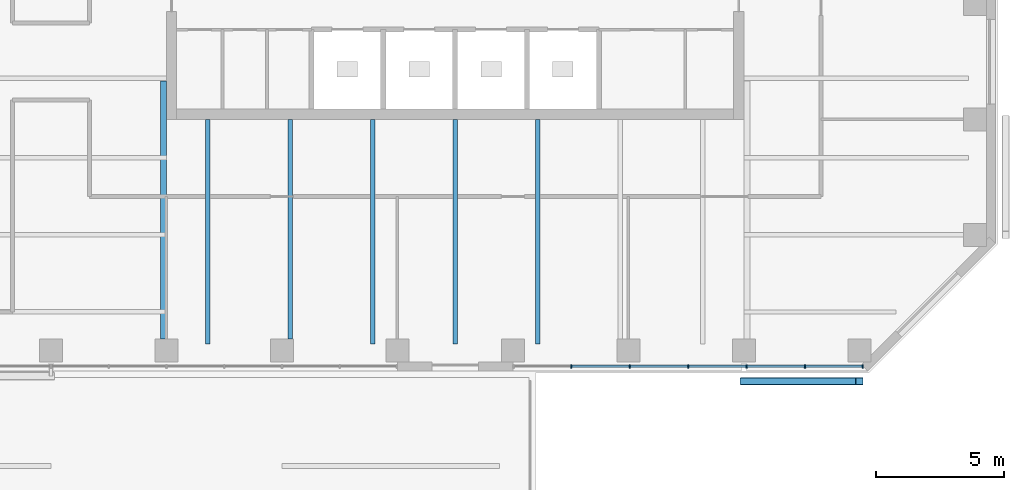
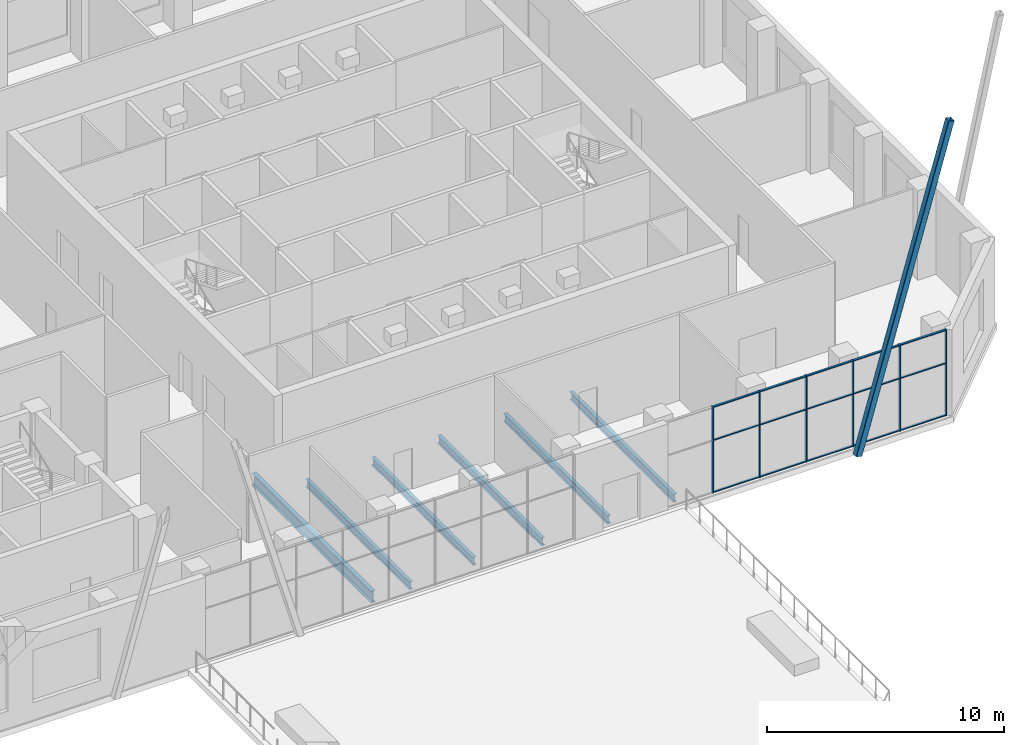
# One storey, part 4 of 14: 22 members, 6 beams, 1 element without a shape of its own.
"""IFC4 building model written with IfcOpenShell, lengths in metres."""

from ifc_helpers import new_model, si_unit, direction, frame, origin, origin_2d, place, context, subcontext, project, spatial, rectangle, hollow_rectangle, i_section, extrude, material, constituent, constituent_set, material_profile, profile_set, type_object, element, aggregate, save


model = new_model("IFC4")

# Units and contexts
model_context = context("Model", 3, precision=1e-05, world=origin(), true_north=direction((0.0, 1.0)))
body_context = subcontext(model_context, "Body", "Model", "MODEL_VIEW")
ifc_project = project(units=[si_unit("LENGTHUNIT", "METRE"), si_unit("AREAUNIT", "SQUARE_METRE"), si_unit("VOLUMEUNIT", "CUBIC_METRE"), si_unit("PLANEANGLEUNIT", "RADIAN"), si_unit("MASSUNIT", "GRAM", prefix="KILO")], contexts=[model_context])

# Site, building, storey
site_placement = place(None, origin())
site = spatial("IfcSite", under=ifc_project, at=site_placement, CompositionType="ELEMENT")
building_placement = place(site_placement, origin())
building = spatial("IfcBuilding", under=site, at=building_placement, Name="Quoin Convention Tower", CompositionType="ELEMENT")
storey_placement = place(building_placement, frame((0.0, 0.0, 143.10009765625)))
storey = spatial("IfcBuildingStorey", under=building, at=storey_placement, Name="L37", CompositionType="ELEMENT", Elevation=143.10009765625)

# Beams
ifc_material_1 = material(Name="Steel Grade 300", Category="steel")
ifc_material_profile_1 = material_profile(ifc_material_1, i_section(OverallWidth=0.177978515625, OverallDepth=0.403076171875, WebThickness=0.007568359375, FlangeThickness=0.010986328125, FilletRadius=0.011474609375, at=origin_2d()), Name="410UB53.7")
ifc_profile_set_1 = profile_set([ifc_material_profile_1], Name="Steel Grade 300")
beam_type_1 = type_object("IfcBeamType", Name="410UB53.7", PredefinedType="BEAM", material=ifc_profile_set_1)
beam_1_placement = place(storey_placement, frame((46.607177734375, 40.75, -0.3515625), z_axis=(0.0, 1.0, 0.0), x_axis=(-1.0, 0.0, 0.0)))
element("IfcBeam", 1, at=beam_1_placement, inside=storey, type_object=beam_type_1, Name="bm-L37-T1S0", PredefinedType="BEAM", context=body_context, shape_type="SweptSolid", body=[
    extrude(i_section(OverallWidth=0.177978515625, OverallDepth=0.403076171875, WebThickness=0.007568359375, FlangeThickness=0.010986328125, FilletRadius=0.011474609375, at=origin_2d()), origin(), (0.0, 0.0, 1.0), 8.75),
])
beam_2_placement = place(storey_placement, frame((49.8212890625, 40.949951171875, -0.3515625), z_axis=(0.0, 1.0, 0.0), x_axis=(-1.0, 0.0, 0.0)))
element("IfcBeam", 2, at=beam_2_placement, inside=storey, type_object=beam_type_1, Name="bm-L37-T1S1", PredefinedType="BEAM", context=body_context, shape_type="SweptSolid", body=[
    extrude(i_section(OverallWidth=0.177978515625, OverallDepth=0.403076171875, WebThickness=0.007568359375, FlangeThickness=0.010986328125, FilletRadius=0.011474609375, at=origin_2d()), origin(), (0.0, 0.0, 1.0), 8.550048828125),
])
for number, where, z_axis, x_axis, name in (
    (3, (53.03564453125, 40.75, -0.3515625), (0.0, 1.0, 0.0), (-1.0, 0.0, 0.0), "bm-L37-T1S2"),
    (4, (56.25, 40.75, -0.3515625), (0.0, 1.0, 0.0), (-1.0, 0.0, 0.0), "bm-L37-T1S3"),
    (5, (59.46435546875, 40.75, -0.3515625), (0.0, 1.0, 0.0), (-1.0, 0.0, 0.0), "bm-L37-T1S4"),
):
    element("IfcBeam", number, at=place(storey_placement, frame(where, z_axis=z_axis, x_axis=x_axis)), inside=storey, type_object=beam_type_1, Name=name, PredefinedType="BEAM", context=body_context, shape_type="SweptSolid", body=[
        extrude(i_section(OverallWidth=0.177978515625, OverallDepth=0.403076171875, WebThickness=0.007568359375, FlangeThickness=0.010986328125, FilletRadius=0.011474609375, at=origin_2d()), origin(), (0.0, 0.0, 1.0), 8.75),
    ])
ifc_material_profile_2 = material_profile(ifc_material_1, i_section(OverallWidth=0.22802734375, OverallDepth=0.60205078125, WebThickness=0.010498046875, FlangeThickness=0.014892578125, FilletRadius=0.013916015625, at=origin_2d()), Name="610UB101")
ifc_profile_set_2 = profile_set([ifc_material_profile_2], Name="Steel Grade 300")
beam_type_2 = type_object("IfcBeamType", Name="610UB101", PredefinedType="BEAM", material=ifc_profile_set_2)
beam_3_placement = place(storey_placement, frame((44.885986328125, 40.949951171875, -0.451171875), z_axis=(0.0, 1.0, 0.0), x_axis=(-1.0, 0.0, 0.0)))
element("IfcBeam", 6, at=beam_3_placement, inside=storey, type_object=beam_type_2, Name="gir-L37-T1SW", PredefinedType="BEAM", context=body_context, shape_type="SweptSolid", body=[
    extrude(i_section(OverallWidth=0.22802734375, OverallDepth=0.60205078125, WebThickness=0.010498046875, FlangeThickness=0.014892578125, FilletRadius=0.013916015625, at=origin_2d()), origin(), (0.0, 0.0, 1.0), 10.052734375),
])

# Member
ifc_material_2 = material(Name="Steel C450L0", Category="steel")
ifc_material_profile_3 = material_profile(ifc_material_2, hollow_rectangle(XDim=0.300048828125, YDim=0.300048828125, WallThickness=0.012451171875, InnerFilletRadius=0.018798828125, OuterFilletRadius=0.03125, at=origin_2d()), Name="300x300x12.5SHS")
ifc_profile_set_3 = profile_set([ifc_material_profile_3], Name="Steel C450L0")
member_type_1 = type_object("IfcMemberType", Name="Exposed brace 300x300x12.5SHS", PredefinedType="BRACE", material=ifc_profile_set_3)
member_1_placement = place(storey_placement, frame((67.5, 39.300048828125, -0.0751953125), z_axis=(0.275526545915, 0.0, 0.961293463255), x_axis=(0.0, 1.0, 0.0)))
element("IfcMember", 7, at=member_1_placement, inside=storey, type_object=member_type_1, Name="brc-L37-67500_40500-72000_40500", PredefinedType="BRACE", context=body_context, shape_type="SweptSolid", body=[
    extrude(hollow_rectangle(XDim=0.300048828125, YDim=0.300048828125, WallThickness=0.012451171875, InnerFilletRadius=0.018798828125, OuterFilletRadius=0.03125, at=origin_2d()), origin(), (0.0, 0.0, 1.0), 16.332275390625),
])

# Curtain wall, members
ifc_material_3 = material(Name="Aluminium", Category="aluminium")
ifc_constituent_1 = constituent(ifc_material_3, Name="Frame")
ifc_material_4 = material(Name="Insulated glass", Category="glass")
ifc_constituent_2 = constituent(ifc_material_4, Name="Glazing")
ifc_constituent_set = constituent_set(constituents=[ifc_constituent_1, ifc_constituent_2], Name="Aluminium")
curtain_wall_type = type_object("IfcCurtainWallType", Name="Sky lobby glazing system", PredefinedType="NOTDEFINED", material=ifc_constituent_set)
curtain_wall_placement = place(storey_placement, origin())
curtain_wall = element("IfcCurtainWall", 8, at=curtain_wall_placement, inside=storey, type_object=curtain_wall_type, Name="cw-SKY-L37-58500_39875", PredefinedType="NOTDEFINED")
ifc_material_profile_4 = material_profile(ifc_material_3, rectangle(XDim=0.14990234375, YDim=0.050048828125, at=origin_2d()), Name="Sky lobby glazing mullion 50x150")
ifc_profile_set_4 = profile_set([ifc_material_profile_4], Name="Aluminium")
member_type_2 = type_object("IfcMemberType", Name="Sky lobby glazing mullion 50x150", PredefinedType="MULLION", material=ifc_profile_set_4)
member_2_placement = place(storey_placement, frame((60.776123046875, 39.875, 0.0), z_axis=(0.0, 0.0, 1.0), x_axis=(0.0, 1.0, 0.0)))
member_2 = element("IfcMember", 9, at=member_2_placement, type_object=member_type_2, Name="CW3 mullion 2", PredefinedType="MULLION", context=body_context, shape_type="SweptSolid", body=[
    extrude(rectangle(XDim=0.14990234375, YDim=0.050048828125, at=origin_2d()), origin(), (0.0, 0.0, 1.0), 4.4248046875),
])
member_3_placement = place(storey_placement, frame((63.05224609375, 39.875, 0.0), z_axis=(0.0, 0.0, 1.0), x_axis=(0.0, 1.0, 0.0)))
member_3 = element("IfcMember", 10, at=member_3_placement, type_object=member_type_2, Name="CW3 mullion 3", PredefinedType="MULLION", context=body_context, shape_type="SweptSolid", body=[
    extrude(rectangle(XDim=0.14990234375, YDim=0.050048828125, at=origin_2d()), origin(), (0.0, 0.0, 1.0), 4.4248046875),
])
member_4_placement = place(storey_placement, frame((65.328125, 39.875, 0.0), z_axis=(0.0, 0.0, 1.0), x_axis=(0.0, 1.0, 0.0)))
member_4 = element("IfcMember", 11, at=member_4_placement, type_object=member_type_2, Name="CW3 mullion 4", PredefinedType="MULLION", context=body_context, shape_type="SweptSolid", body=[
    extrude(rectangle(XDim=0.14990234375, YDim=0.050048828125, at=origin_2d()), origin(), (0.0, 0.0, 1.0), 4.4248046875),
])
member_5_placement = place(storey_placement, frame((67.604248046875, 39.875, 0.0), z_axis=(0.0, 0.0, 1.0), x_axis=(0.0, 1.0, 0.0)))
member_5 = element("IfcMember", 12, at=member_5_placement, type_object=member_type_2, Name="CW3 mullion 5", PredefinedType="MULLION", context=body_context, shape_type="SweptSolid", body=[
    extrude(rectangle(XDim=0.14990234375, YDim=0.050048828125, at=origin_2d()), origin(), (0.0, 0.0, 1.0), 4.4248046875),
])
member_6_placement = place(storey_placement, frame((69.88037109375, 39.875, 0.0), z_axis=(0.0, 0.0, 1.0), x_axis=(0.0, 1.0, 0.0)))
member_6 = element("IfcMember", 13, at=member_6_placement, type_object=member_type_2, Name="CW3 mullion 6", PredefinedType="MULLION", context=body_context, shape_type="SweptSolid", body=[
    extrude(rectangle(XDim=0.14990234375, YDim=0.050048828125, at=origin_2d()), origin(), (0.0, 0.0, 1.0), 4.4248046875),
])
member_7_placement = place(storey_placement, frame((72.13134765625, 39.875, 0.0), z_axis=(0.0, 0.0, 1.0), x_axis=(0.0, 1.0, 0.0)))
member_7 = element("IfcMember", 14, at=member_7_placement, type_object=member_type_2, Name="CW3 mullion 7", PredefinedType="MULLION", context=body_context, shape_type="SweptSolid", body=[
    extrude(rectangle(XDim=0.14990234375, YDim=0.050048828125, at=origin_2d()), origin(), (0.0, 0.0, 1.0), 4.4248046875),
])
ifc_material_profile_5 = material_profile(ifc_material_3, rectangle(XDim=0.10009765625, YDim=0.050048828125, at=origin_2d()), Name="Sky lobby glazing transom 50x100")
ifc_profile_set_5 = profile_set([ifc_material_profile_5], Name="Aluminium")
member_type_3 = type_object("IfcMemberType", Name="Sky lobby glazing transom 50x100", PredefinedType="USERDEFINED", material=ifc_profile_set_5)
member_8_placement = place(storey_placement, frame((60.801025390625, 39.875, 0.02490234375), z_axis=(1.0, 0.0, 0.0), x_axis=(0.0, 1.0, 0.0)))
member_8 = element("IfcMember", 15, at=member_8_placement, type_object=member_type_3, Name="CW3 transom 2.1", ObjectType="TRANSOM", PredefinedType="USERDEFINED", context=body_context, shape_type="SweptSolid", body=[
    extrude(rectangle(XDim=0.10009765625, YDim=0.050048828125, at=origin_2d()), origin(), (0.0, 0.0, 1.0), 2.22607421875),
])
member_9_placement = place(storey_placement, frame((60.801025390625, 39.875, 2.699951171875), z_axis=(1.0, 0.0, 0.0), x_axis=(0.0, 1.0, 0.0)))
member_9 = element("IfcMember", 16, at=member_9_placement, type_object=member_type_3, Name="CW3 transom 2.2", ObjectType="TRANSOM", PredefinedType="USERDEFINED", context=body_context, shape_type="SweptSolid", body=[
    extrude(rectangle(XDim=0.10009765625, YDim=0.050048828125, at=origin_2d()), origin(), (0.0, 0.0, 1.0), 2.22607421875),
])
member_10_placement = place(storey_placement, frame((60.801025390625, 39.875, 4.39990234375), z_axis=(1.0, 0.0, 0.0), x_axis=(0.0, 1.0, 0.0)))
member_10 = element("IfcMember", 17, at=member_10_placement, type_object=member_type_3, Name="CW3 transom 2.3", ObjectType="TRANSOM", PredefinedType="USERDEFINED", context=body_context, shape_type="SweptSolid", body=[
    extrude(rectangle(XDim=0.10009765625, YDim=0.050048828125, at=origin_2d()), origin(), (0.0, 0.0, 1.0), 2.22607421875),
])
member_11_placement = place(storey_placement, frame((63.0771484375, 39.875, 0.02490234375), z_axis=(1.0, 0.0, 0.0), x_axis=(0.0, 1.0, 0.0)))
member_11 = element("IfcMember", 18, at=member_11_placement, type_object=member_type_3, Name="CW3 transom 3.1", ObjectType="TRANSOM", PredefinedType="USERDEFINED", context=body_context, shape_type="SweptSolid", body=[
    extrude(rectangle(XDim=0.10009765625, YDim=0.050048828125, at=origin_2d()), origin(), (0.0, 0.0, 1.0), 2.22607421875),
])
member_12_placement = place(storey_placement, frame((63.0771484375, 39.875, 2.699951171875), z_axis=(1.0, 0.0, 0.0), x_axis=(0.0, 1.0, 0.0)))
member_12 = element("IfcMember", 19, at=member_12_placement, type_object=member_type_3, Name="CW3 transom 3.2", ObjectType="TRANSOM", PredefinedType="USERDEFINED", context=body_context, shape_type="SweptSolid", body=[
    extrude(rectangle(XDim=0.10009765625, YDim=0.050048828125, at=origin_2d()), origin(), (0.0, 0.0, 1.0), 2.22607421875),
])
member_13_placement = place(storey_placement, frame((63.0771484375, 39.875, 4.39990234375), z_axis=(1.0, 0.0, 0.0), x_axis=(0.0, 1.0, 0.0)))
member_13 = element("IfcMember", 20, at=member_13_placement, type_object=member_type_3, Name="CW3 transom 3.3", ObjectType="TRANSOM", PredefinedType="USERDEFINED", context=body_context, shape_type="SweptSolid", body=[
    extrude(rectangle(XDim=0.10009765625, YDim=0.050048828125, at=origin_2d()), origin(), (0.0, 0.0, 1.0), 2.22607421875),
])
member_14_placement = place(storey_placement, frame((65.353271484375, 39.875, 0.02490234375), z_axis=(1.0, 0.0, 0.0), x_axis=(0.0, 1.0, 0.0)))
member_14 = element("IfcMember", 21, at=member_14_placement, type_object=member_type_3, Name="CW3 transom 4.1", ObjectType="TRANSOM", PredefinedType="USERDEFINED", context=body_context, shape_type="SweptSolid", body=[
    extrude(rectangle(XDim=0.10009765625, YDim=0.050048828125, at=origin_2d()), origin(), (0.0, 0.0, 1.0), 2.22607421875),
])
member_15_placement = place(storey_placement, frame((65.353271484375, 39.875, 2.699951171875), z_axis=(1.0, 0.0, 0.0), x_axis=(0.0, 1.0, 0.0)))
member_15 = element("IfcMember", 22, at=member_15_placement, type_object=member_type_3, Name="CW3 transom 4.2", ObjectType="TRANSOM", PredefinedType="USERDEFINED", context=body_context, shape_type="SweptSolid", body=[
    extrude(rectangle(XDim=0.10009765625, YDim=0.050048828125, at=origin_2d()), origin(), (0.0, 0.0, 1.0), 2.22607421875),
])
member_16_placement = place(storey_placement, frame((65.353271484375, 39.875, 4.39990234375), z_axis=(1.0, 0.0, 0.0), x_axis=(0.0, 1.0, 0.0)))
member_16 = element("IfcMember", 23, at=member_16_placement, type_object=member_type_3, Name="CW3 transom 4.3", ObjectType="TRANSOM", PredefinedType="USERDEFINED", context=body_context, shape_type="SweptSolid", body=[
    extrude(rectangle(XDim=0.10009765625, YDim=0.050048828125, at=origin_2d()), origin(), (0.0, 0.0, 1.0), 2.22607421875),
])
member_17_placement = place(storey_placement, frame((67.629150390625, 39.875, 0.02490234375), z_axis=(1.0, 0.0, 0.0), x_axis=(0.0, 1.0, 0.0)))
member_17 = element("IfcMember", 24, at=member_17_placement, type_object=member_type_3, Name="CW3 transom 5.1", ObjectType="TRANSOM", PredefinedType="USERDEFINED", context=body_context, shape_type="SweptSolid", body=[
    extrude(rectangle(XDim=0.10009765625, YDim=0.050048828125, at=origin_2d()), origin(), (0.0, 0.0, 1.0), 2.22607421875),
])
member_18_placement = place(storey_placement, frame((67.629150390625, 39.875, 2.699951171875), z_axis=(1.0, 0.0, 0.0), x_axis=(0.0, 1.0, 0.0)))
member_18 = element("IfcMember", 25, at=member_18_placement, type_object=member_type_3, Name="CW3 transom 5.2", ObjectType="TRANSOM", PredefinedType="USERDEFINED", context=body_context, shape_type="SweptSolid", body=[
    extrude(rectangle(XDim=0.10009765625, YDim=0.050048828125, at=origin_2d()), origin(), (0.0, 0.0, 1.0), 2.22607421875),
])
member_19_placement = place(storey_placement, frame((67.629150390625, 39.875, 4.39990234375), z_axis=(1.0, 0.0, 0.0), x_axis=(0.0, 1.0, 0.0)))
member_19 = element("IfcMember", 26, at=member_19_placement, type_object=member_type_3, Name="CW3 transom 5.3", ObjectType="TRANSOM", PredefinedType="USERDEFINED", context=body_context, shape_type="SweptSolid", body=[
    extrude(rectangle(XDim=0.10009765625, YDim=0.050048828125, at=origin_2d()), origin(), (0.0, 0.0, 1.0), 2.22607421875),
])
member_20_placement = place(storey_placement, frame((69.9052734375, 39.875, 0.02490234375), z_axis=(1.0, 0.0, 0.0), x_axis=(0.0, 1.0, 0.0)))
member_20 = element("IfcMember", 27, at=member_20_placement, type_object=member_type_3, Name="CW3 transom 6.1", ObjectType="TRANSOM", PredefinedType="USERDEFINED", context=body_context, shape_type="SweptSolid", body=[
    extrude(rectangle(XDim=0.10009765625, YDim=0.050048828125, at=origin_2d()), origin(), (0.0, 0.0, 1.0), 2.201171875),
])
member_21_placement = place(storey_placement, frame((69.9052734375, 39.875, 2.699951171875), z_axis=(1.0, 0.0, 0.0), x_axis=(0.0, 1.0, 0.0)))
member_21 = element("IfcMember", 28, at=member_21_placement, type_object=member_type_3, Name="CW3 transom 6.2", ObjectType="TRANSOM", PredefinedType="USERDEFINED", context=body_context, shape_type="SweptSolid", body=[
    extrude(rectangle(XDim=0.10009765625, YDim=0.050048828125, at=origin_2d()), origin(), (0.0, 0.0, 1.0), 2.201171875),
])
member_22_placement = place(storey_placement, frame((69.9052734375, 39.875, 4.39990234375), z_axis=(1.0, 0.0, 0.0), x_axis=(0.0, 1.0, 0.0)))
member_22 = element("IfcMember", 29, at=member_22_placement, type_object=member_type_3, Name="CW3 transom 6.3", ObjectType="TRANSOM", PredefinedType="USERDEFINED", context=body_context, shape_type="SweptSolid", body=[
    extrude(rectangle(XDim=0.10009765625, YDim=0.050048828125, at=origin_2d()), origin(), (0.0, 0.0, 1.0), 2.201171875),
])
aggregate(curtain_wall, [member_2, member_3, member_4, member_5, member_6, member_7, member_8, member_9, member_10, member_11, member_12, member_13, member_14, member_15, member_16, member_17, member_18, member_19, member_20, member_21, member_22])

save(model, "model.ifc")
